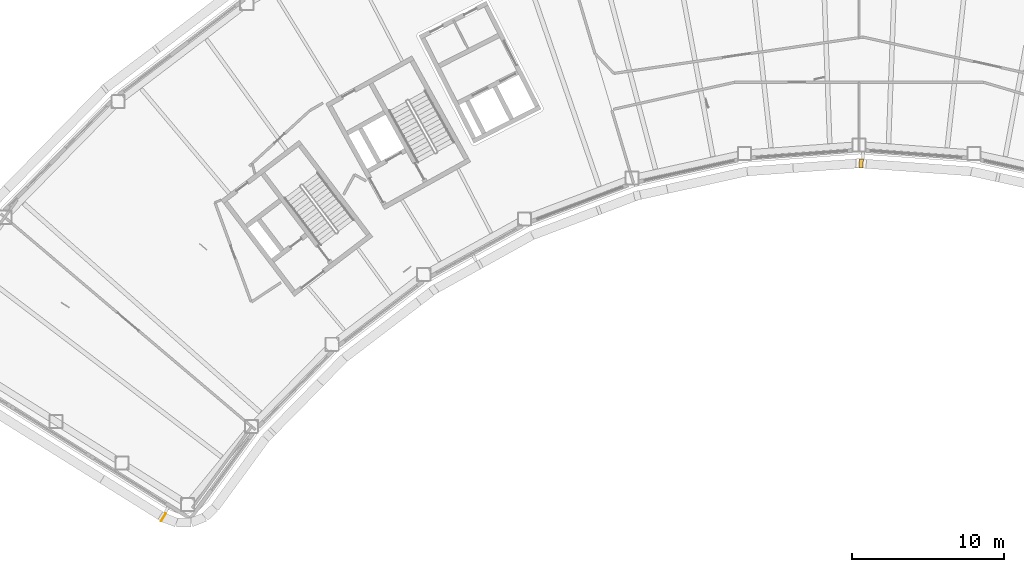
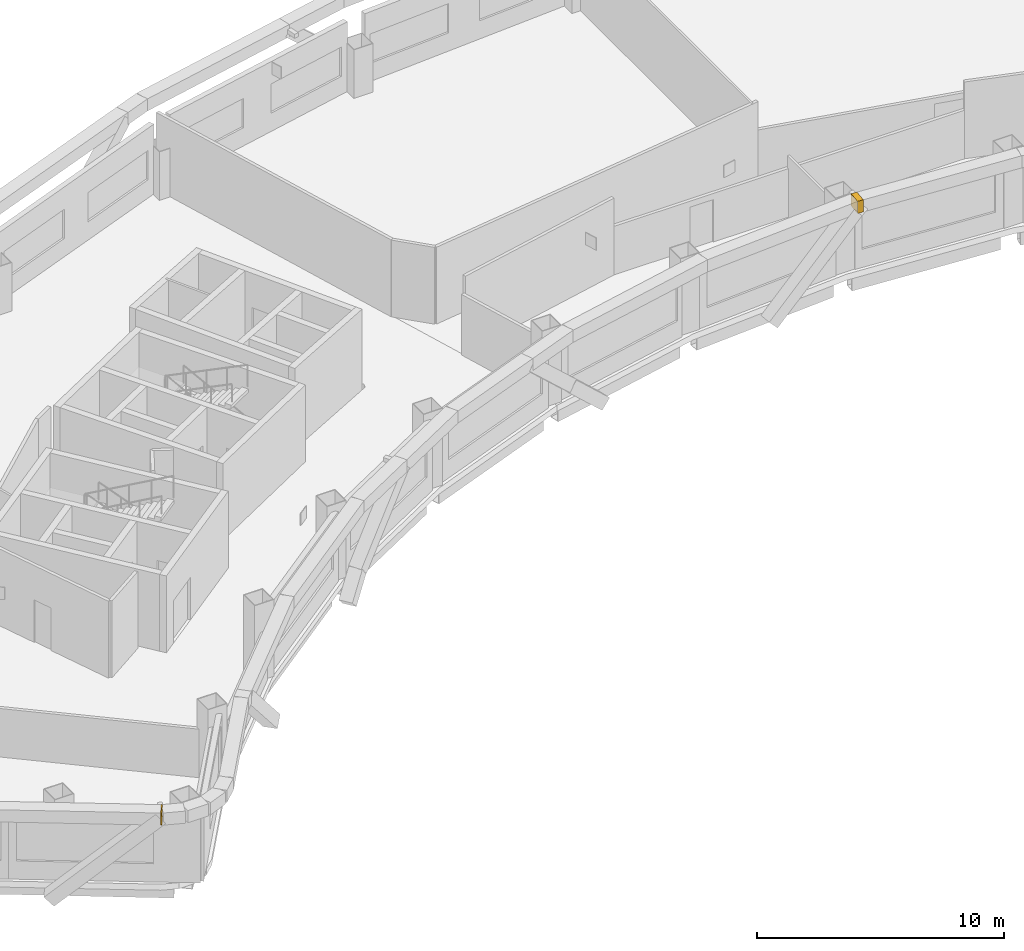
# One storey, part 20 of 20: 2 coverings.
"""IFC4 building model written with IfcOpenShell, lengths in metres."""

from ifc_helpers import new_model, si_unit, direction, frame, origin, origin_2d, place, context, subcontext, project, spatial, rectangle, extrude, material, material_profile, profile_set, type_object, element, save


model = new_model("IFC4")

# Units and contexts
model_context = context("Model", 3, precision=1e-05, world=origin(), true_north=direction((0.0, 1.0)))
body_context = subcontext(model_context, "Body", "Model", "MODEL_VIEW")
ifc_project = project(units=[si_unit("LENGTHUNIT", "METRE"), si_unit("AREAUNIT", "SQUARE_METRE"), si_unit("VOLUMEUNIT", "CUBIC_METRE"), si_unit("PLANEANGLEUNIT", "RADIAN"), si_unit("MASSUNIT", "GRAM", prefix="KILO")], contexts=[model_context])

# Site, building, storey
site_placement = place(None, origin())
site = spatial("IfcSite", under=ifc_project, at=site_placement, CompositionType="ELEMENT")
building_placement = place(site_placement, origin())
building = spatial("IfcBuilding", under=site, at=building_placement, Name="Tuul Gate Civic Tower", CompositionType="ELEMENT")
storey_placement = place(building_placement, frame((0.0, 0.0, 197.300048828125)))
storey = spatial("IfcBuildingStorey", under=building, at=storey_placement, Name="Level 45", CompositionType="ELEMENT", Elevation=197.300048828125)

# Coverings
ifc_material = material(Name="Terracotta baguette", Category="masonry")
ifc_material_profile = material_profile(ifc_material, rectangle(XDim=0.60009765625, YDim=0.60009765625, at=origin_2d()), Name="Terracotta baguette screen frame")
ifc_profile_set = profile_set([ifc_material_profile], Name="Terracotta baguette")
covering_type = type_object("IfcCoveringType", Name="Terracotta baguette screen frame", PredefinedType="CLADDING", material=ifc_profile_set)
covering_1_placement = place(storey_placement, frame((-44.939453125, -32.290283203125, 3.849853515625), z_axis=(0.846696104238, -0.532076786816, 0.0), x_axis=(0.532076786816, 0.846696104238, 0.0)))
element("IfcCovering", 1, at=covering_1_placement, inside=storey, type_object=covering_type, Name="Baguette 171", PredefinedType="CLADDING", context=body_context, shape_type="SweptSolid", body=[
    extrude(rectangle(XDim=0.60009765625, YDim=0.60009765625, at=origin_2d()), origin(), (0.0, 0.0, 1.0), 0.052734375),
])
covering_2_placement = place(storey_placement, frame((0.989990234375, -8.943115234375, 3.849853515625), z_axis=(0.997435051841, -0.071577352276, 0.0), x_axis=(0.071577352276, 0.997435051841, 0.0)))
element("IfcCovering", 2, at=covering_2_placement, inside=storey, type_object=covering_type, Name="Baguette 421", PredefinedType="CLADDING", context=body_context, shape_type="SweptSolid", body=[
    extrude(rectangle(XDim=0.60009765625, YDim=0.60009765625, at=origin_2d()), origin(), (0.0, 0.0, 1.0), 0.2626953125),
])

save(model, "model.ifc")
